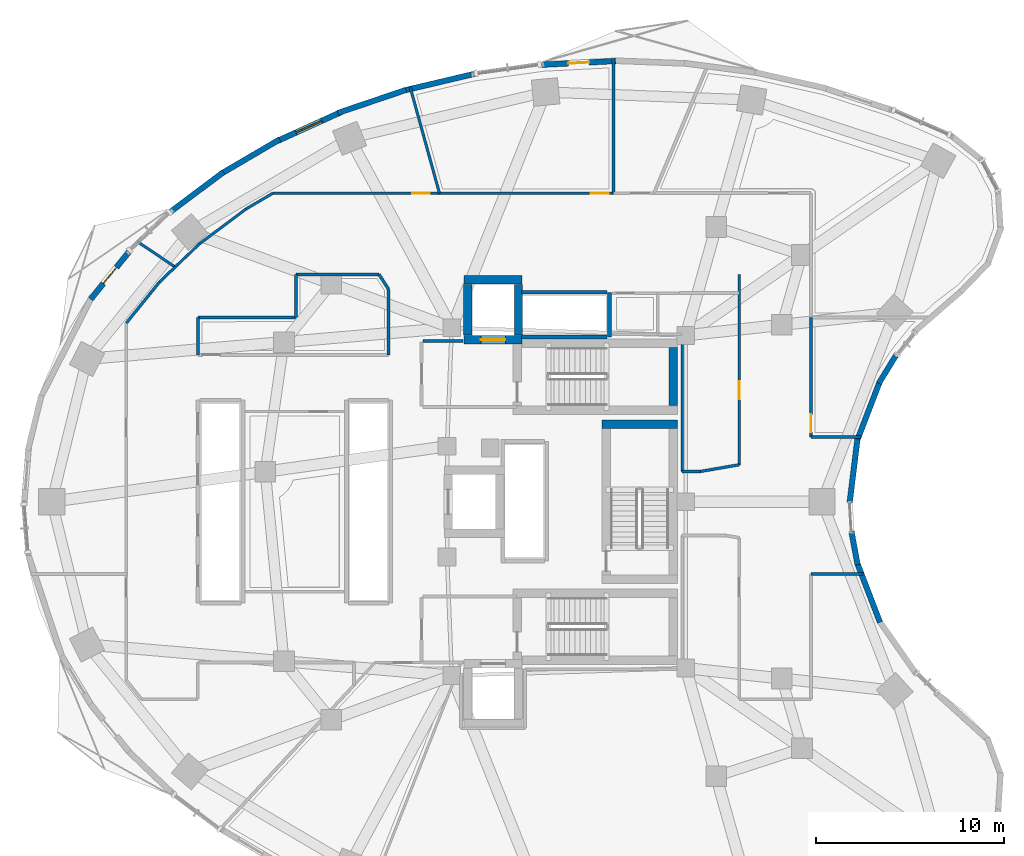
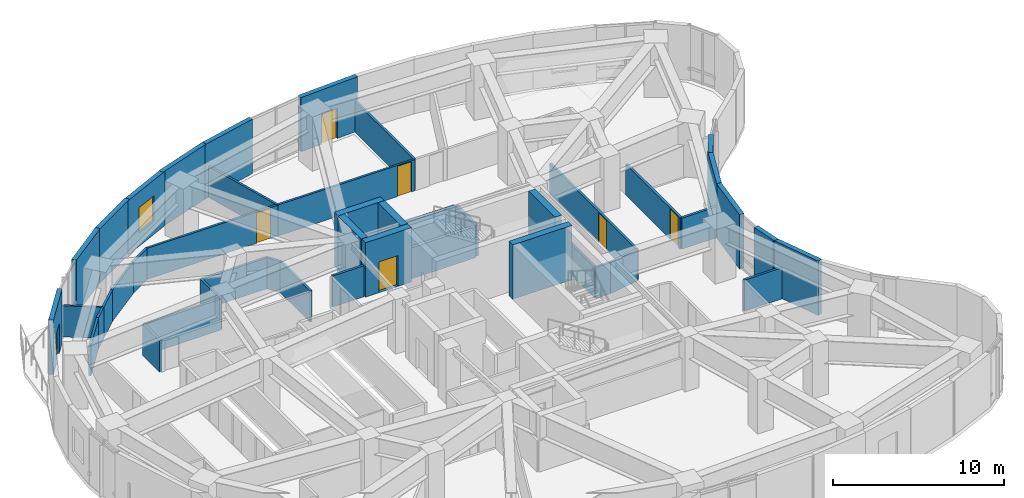
# One storey, part 9 of 13: 45 walls, 7 doors, 1 window, 8 openings.
"""IFC4 building model written with IfcOpenShell, lengths in metres."""

from ifc_helpers import new_model, si_unit, direction, frame, frame_2d, origin, place, context, subcontext, project, spatial, rectangle, extrude, material, layer, layer_set, type_object, element, fill, save


model = new_model("IFC4")

# Units and contexts
model_context = context("Model", 3, precision=1e-05, world=origin(), true_north=direction((0.0, 1.0)))
body_context = subcontext(model_context, "Body", "Model", "MODEL_VIEW")
ifc_project = project(units=[si_unit("LENGTHUNIT", "METRE"), si_unit("AREAUNIT", "SQUARE_METRE"), si_unit("VOLUMEUNIT", "CUBIC_METRE"), si_unit("PLANEANGLEUNIT", "RADIAN"), si_unit("MASSUNIT", "GRAM", prefix="KILO")], contexts=[model_context])

# Site, building, storey
site_placement = place(None, origin())
site = spatial("IfcSite", under=ifc_project, at=site_placement, CompositionType="ELEMENT")
building_placement = place(site_placement, origin())
building = spatial("IfcBuilding", under=site, at=building_placement, Name="Korentha Bioscience Tower", CompositionType="ELEMENT")
storey_placement = place(building_placement, frame((0.0, 0.0, 80.39990234375)))
storey = spatial("IfcBuildingStorey", under=building, at=storey_placement, Name="L18", CompositionType="ELEMENT", Elevation=80.39990234375)

# Wall, opening, door
ifc_material_1 = material(Name="Double-Stud Acoustic Gypsum", Category="gypsum")
ifc_layer_1 = layer(ifc_material_1, 0.14990234375, Name="Double-Stud Acoustic Gypsum")
ifc_layer_set_1 = layer_set([ifc_layer_1], Name="Double-Stud Acoustic Gypsum (IW-L150)")
wall_type_1 = type_object("IfcWallType", Name="Acoustic Laboratory Partition Wall 150", PredefinedType="PARTITIONING", material=ifc_layer_set_1)
wall_1_placement = place(storey_placement, frame((40.389892578125, 39.090087890625, 0.0), z_axis=(0.0, 0.0, 1.0), x_axis=(0.0, -1.0, 0.0)))
wall_1 = element("IfcWall", 1, at=wall_1_placement, inside=storey, type_object=wall_type_1, Name="L18 Researchers' Collaboration Pantry 05 Entrance Wall", PredefinedType="PARTITIONING", context=body_context, shape_type="SweptSolid", body=[
    extrude(rectangle(XDim=10.12548828125, YDim=0.14990234375, at=frame_2d((5.062744140625, 0.0))), origin(), (0.0, 0.0, 1.0), 2.22021484375),
])
opening_1_placement = place(wall_1_placement, frame((5.68994140625, 0.0, 0.0)))
opening_1 = element("IfcOpeningElement", 2, at=opening_1_placement, cuts=wall_1, Name="Opening ID-10R", PredefinedType="OPENING", context=body_context, shape_type="SweptSolid", body=[
    extrude(rectangle(XDim=0.949951171875, YDim=2.14990234375, at=frame_2d((0.47509765625, 1.074951171875))), frame((0.0, 0.08984375, 0.0), z_axis=(0.0, -1.0, 0.0), x_axis=(1.0, 0.0, 0.0)), (0.0, 0.0, 1.0), 0.1796875),
])
ifc_material_2 = material(Name="Phenolic Laminate Timber Core", Category="wood")
door_type_1 = type_object("IfcDoorType", Name="Laboratory Single Leaf Door 950x2150 Right", OperationType="SINGLE_SWING_RIGHT", PredefinedType="DOOR", material=ifc_material_2)
door_1_placement = place(opening_1_placement, origin())
door_1 = element("IfcDoor", 3, at=door_1_placement, inside=storey, type_object=door_type_1, Name="L18 Researchers' Collaboration Pantry 05 Door", OperationType="SINGLE_SWING_RIGHT", OverallHeight=2.14990234375, OverallWidth=0.949951171875, PredefinedType="DOOR", context=body_context, shape_type="SweptSolid", body=[
    extrude(rectangle(XDim=0.949951171875, YDim=2.14990234375, at=frame_2d((0.47509765625, 1.074951171875))), frame((0.0, 0.02490234375, 0.0), z_axis=(0.0, -1.0, 0.0), x_axis=(1.0, 0.0, 0.0)), (0.0, 0.0, 1.0), 0.050048828125),
])
fill(opening_1, door_1)

# Walls
wall_2_placement = place(storey_placement, frame((44.2099609375, 23.14794921875, 0.0), z_axis=(0.0, 0.0, 1.0), x_axis=(1.0, 0.0, 0.0)))
element("IfcWall", 4, at=wall_2_placement, inside=storey, type_object=wall_type_1, Name="L18 Interior Partition 033", PredefinedType="PARTITIONING", context=body_context, shape_type="SweptSolid", body=[
    extrude(rectangle(XDim=2.761474609375, YDim=0.14990234375, at=frame_2d((1.380859375, 0.0))), origin(), (0.0, 0.0, 1.0), 2.22021484375),
])
wall_3_placement = place(storey_placement, frame((38.32763671875, 28.610107421875, 0.0), z_axis=(0.0, 0.0, 1.0), x_axis=(-1.0, 0.0, 0.0)))
element("IfcWall", 5, at=wall_3_placement, inside=storey, type_object=wall_type_1, Name="L18 Interior Partition 037", PredefinedType="PARTITIONING", context=body_context, shape_type="SweptSolid", body=[
    extrude(rectangle(XDim=0.967529296875, YDim=0.14990234375, at=frame_2d((0.48388671875, 0.0))), origin(), (0.0, 0.0, 1.0), 2.22021484375),
])
wall_4_placement = place(storey_placement, frame((37.360107421875, 28.610107421875, 0.0), z_axis=(0.0, 0.0, 1.0), x_axis=(0.0, 1.0, 0.0)))
element("IfcWall", 6, at=wall_4_placement, inside=storey, type_object=wall_type_1, Name="L18 Interior Partition 038", PredefinedType="PARTITIONING", context=body_context, shape_type="SweptSolid", body=[
    extrude(rectangle(XDim=7.289794921875, YDim=0.14990234375, at=frame_2d((3.64501953125, 0.0))), origin(), (0.0, 0.0, 1.0), 2.22021484375),
])
wall_5_placement = place(storey_placement, frame((40.389892578125, 28.964599609375, 0.0), z_axis=(0.0, 0.0, 1.0), x_axis=(-0.985545542795, -0.169410693517, 0.0)))
element("IfcWall", 7, at=wall_5_placement, inside=storey, type_object=wall_type_1, Name="L18 Interior Partition 043", PredefinedType="PARTITIONING", context=body_context, shape_type="SweptSolid", body=[
    extrude(rectangle(XDim=2.092529296875, YDim=0.14990234375, at=frame_2d((1.04638671875, 0.0))), origin(), (0.0, 0.0, 1.0), 2.22021484375),
])
wall_6_placement = place(storey_placement, frame((33.701904296875, 43.409912109375, 0.0), z_axis=(0.0, 0.0, 1.0), x_axis=(0.0, 1.0, 0.0)))
element("IfcWall", 8, at=wall_6_placement, inside=storey, type_object=wall_type_1, Name="L18 Interior Partition 046", PredefinedType="PARTITIONING", context=body_context, shape_type="SweptSolid", body=[
    extrude(rectangle(XDim=7.16650390625, YDim=0.14990234375, at=frame_2d((3.583251953125, 0.0))), origin(), (0.0, 0.0, 1.0), 2.22021484375),
])
wall_7_placement = place(storey_placement, frame((10.3818359375, 39.476318359375, 0.0), z_axis=(0.0, 0.0, 1.0), x_axis=(-0.723689756345, -0.690125449872, 0.0)))
element("IfcWall", 9, at=wall_7_placement, inside=storey, type_object=wall_type_1, Name="L18 Interior Partition 058", PredefinedType="PARTITIONING", context=body_context, shape_type="SweptSolid", body=[
    extrude(rectangle(XDim=1.12744140625, YDim=0.14990234375, at=frame_2d((0.563720703125, 0.0))), origin(), (0.0, 0.0, 1.0), 2.22021484375),
])
wall_8_placement = place(storey_placement, frame((9.565185546875, 38.697265625, 0.0), z_axis=(0.0, 0.0, 1.0), x_axis=(-0.629270515505, -0.777186347227, 0.0)))
element("IfcWall", 10, at=wall_8_placement, inside=storey, type_object=wall_type_1, Name="L18 Interior Partition 059", PredefinedType="PARTITIONING", context=body_context, shape_type="SweptSolid", body=[
    extrude(rectangle(XDim=2.8173828125, YDim=0.14990234375, at=frame_2d((1.40869140625, 0.0))), origin(), (0.0, 0.0, 1.0), 2.22021484375),
])

# Wall, opening, door
ifc_material_3 = material(Name="Insulated Aluminium Honeycomb Panel", Category="aluminium")
ifc_layer_2 = layer(ifc_material_3, 0.139892578125, Name="Insulated Aluminium Honeycomb Panel")
ifc_layer_set_2 = layer_set([ifc_layer_2], Name="Insulated Aluminium Honeycomb Panel (IW-F60)")
wall_type_2 = type_object("IfcWallType", Name="Cleanroom Flush Metal Panel Partition 140", PredefinedType="PARTITIONING", material=ifc_layer_set_2)
wall_9_placement = place(storey_placement, frame((33.69189453125, 43.409912109375, 0.0), z_axis=(0.0, 0.0, 1.0), x_axis=(-1.0, 0.0, 0.0)))
wall_9 = element("IfcWall", 11, at=wall_9_placement, inside=storey, type_object=wall_type_2, Name="L18 PCR Amplification Cleanroom 08 Entrance Wall", PredefinedType="PARTITIONING", context=body_context, shape_type="SweptSolid", body=[
    extrude(rectangle(XDim=9.245849609375, YDim=0.139892578125, at=frame_2d((4.623046875, 0.0))), origin(), (0.0, 0.0, 1.0), 2.22021484375),
])
opening_2_placement = place(wall_9_placement, frame((0.239990234375, 0.0, 0.0)))
opening_2 = element("IfcOpeningElement", 12, at=opening_2_placement, cuts=wall_9, Name="Opening ID-10L", PredefinedType="OPENING", context=body_context, shape_type="SweptSolid", body=[
    extrude(rectangle(XDim=0.949951171875, YDim=2.14990234375, at=frame_2d((0.47509765625, 1.074951171875))), frame((0.0, 0.0849609375, 0.0), z_axis=(0.0, -1.0, 0.0), x_axis=(1.0, 0.0, 0.0)), (0.0, 0.0, 1.0), 0.169677734375),
])
door_type_2 = type_object("IfcDoorType", Name="Laboratory Single Leaf Door 950x2150 Left", OperationType="SINGLE_SWING_LEFT", PredefinedType="DOOR", material=ifc_material_2)
door_2_placement = place(opening_2_placement, origin())
door_2 = element("IfcDoor", 13, at=door_2_placement, inside=storey, type_object=door_type_2, Name="L18 PCR Amplification Cleanroom 08 Door", OperationType="SINGLE_SWING_LEFT", OverallHeight=2.14990234375, OverallWidth=0.949951171875, PredefinedType="DOOR", context=body_context, shape_type="SweptSolid", body=[
    extrude(rectangle(XDim=0.949951171875, YDim=2.14990234375, at=frame_2d((0.47509765625, 1.074951171875))), frame((0.0, 0.02490234375, 0.0), z_axis=(0.0, -1.0, 0.0), x_axis=(1.0, 0.0, 0.0)), (0.0, 0.0, 1.0), 0.050048828125),
])
fill(opening_2, door_2)

wall_10_placement = place(storey_placement, frame((24.435791015625, 43.409912109375, 0.0), z_axis=(0.0, 0.0, 1.0), x_axis=(-1.0, 0.0, 0.0)))
wall_10 = element("IfcWall", 14, at=wall_10_placement, inside=storey, type_object=wall_type_2, Name="L18 Cryo-Specimen Cold Room 09 Entrance Wall", PredefinedType="PARTITIONING", context=body_context, shape_type="SweptSolid", body=[
    extrude(rectangle(XDim=8.844970703125, YDim=0.139892578125, at=frame_2d((4.42236328125, 0.0))), origin(), (0.0, 0.0, 1.0), 2.22021484375),
])
opening_3_placement = place(wall_10_placement, frame((0.497802734375, 0.0, 0.0)))
opening_3 = element("IfcOpeningElement", 15, at=opening_3_placement, cuts=wall_10, Name="Opening ID-10R", PredefinedType="OPENING", context=body_context, shape_type="SweptSolid", body=[
    extrude(rectangle(XDim=0.949951171875, YDim=2.14990234375, at=frame_2d((0.47509765625, 1.074951171875))), frame((0.0, 0.0849609375, 0.0), z_axis=(0.0, -1.0, 0.0), x_axis=(1.0, 0.0, 0.0)), (0.0, 0.0, 1.0), 0.169677734375),
])
door_3_placement = place(opening_3_placement, origin())
door_3 = element("IfcDoor", 16, at=door_3_placement, inside=storey, type_object=door_type_1, Name="L18 Cryo-Specimen Cold Room 09 Door", OperationType="SINGLE_SWING_RIGHT", OverallHeight=2.14990234375, OverallWidth=0.949951171875, PredefinedType="DOOR", context=body_context, shape_type="SweptSolid", body=[
    extrude(rectangle(XDim=0.949951171875, YDim=2.14990234375, at=frame_2d((0.47509765625, 1.074951171875))), frame((0.0, 0.02490234375, 0.0), z_axis=(0.0, -1.0, 0.0), x_axis=(1.0, 0.0, 0.0)), (0.0, 0.0, 1.0), 0.050048828125),
])
fill(opening_3, door_3)

# Walls
wall_11_placement = place(storey_placement, frame((24.446044921875, 43.409912109375, 0.0), z_axis=(0.0, 0.0, 1.0), x_axis=(-0.266051472147, 0.963958823897, 0.0)))
element("IfcWall", 17, at=wall_11_placement, inside=storey, type_object=wall_type_2, Name="L18 Interior Partition 047", PredefinedType="PARTITIONING", context=body_context, shape_type="SweptSolid", body=[
    extrude(rectangle(XDim=5.876708984375, YDim=0.139892578125, at=frame_2d((2.9384765625, 0.0))), origin(), (0.0, 0.0, 1.0), 2.22021484375),
])
wall_12_placement = place(storey_placement, frame((15.585693359375, 43.40869140625, 0.0), z_axis=(0.0, 0.0, 1.0), x_axis=(-0.862446636904, -0.506148000582, 0.0)))
element("IfcWall", 18, at=wall_12_placement, inside=storey, type_object=wall_type_2, Name="L18 Interior Partition 048", PredefinedType="PARTITIONING", context=body_context, shape_type="SweptSolid", body=[
    extrude(rectangle(XDim=1.652099609375, YDim=0.139892578125, at=frame_2d((0.826171875, 0.0))), origin(), (0.0, 0.0, 1.0), 2.22021484375),
])
wall_13_placement = place(storey_placement, frame((14.159912109375, 42.57177734375, 0.0), z_axis=(0.0, 0.0, 1.0), x_axis=(-0.800808090092, -0.598921032227, 0.0)))
element("IfcWall", 19, at=wall_13_placement, inside=storey, type_object=wall_type_2, Name="L18 Interior Partition 049", PredefinedType="PARTITIONING", context=body_context, shape_type="SweptSolid", body=[
    extrude(rectangle(XDim=3.078857421875, YDim=0.139892578125, at=frame_2d((1.53955078125, 0.0))), origin(), (0.0, 0.0, 1.0), 2.22021484375),
])
wall_14_placement = place(storey_placement, frame((11.693359375, 40.72705078125, 0.0), z_axis=(0.0, 0.0, 1.0), x_axis=(-0.72364154489, -0.69017600256, 0.0)))
element("IfcWall", 20, at=wall_14_placement, inside=storey, type_object=wall_type_2, Name="L18 Interior Partition 050", PredefinedType="PARTITIONING", context=body_context, shape_type="SweptSolid", body=[
    extrude(rectangle(XDim=1.802001953125, YDim=0.139892578125, at=frame_2d((0.90087890625, 0.0))), origin(), (0.0, 0.0, 1.0), 2.22021484375),
])
wall_15_placement = place(storey_placement, frame((10.389404296875, 39.4833984375, 0.0), z_axis=(0.0, 0.0, 1.0), x_axis=(-0.8301994927, 0.557466413626, 0.0)))
element("IfcWall", 21, at=wall_15_placement, inside=storey, type_object=wall_type_2, Name="L18 Interior Partition 051", PredefinedType="PARTITIONING", context=body_context, shape_type="SweptSolid", body=[
    extrude(rectangle(XDim=2.461669921875, YDim=0.139892578125, at=frame_2d((1.23095703125, 0.0))), origin(), (0.0, 0.0, 1.0), 2.22021484375),
])
ifc_material_4 = material(Name="Gypsum-Clad Steel Stud", Category="steel")
ifc_layer_3 = layer(ifc_material_4, 0.159912109375, Name="Gypsum-Clad Steel Stud")
ifc_layer_set_3 = layer_set([ifc_layer_3], Name="Gypsum-Clad Steel Stud (IW-C160)")
wall_type_3 = type_object("IfcWallType", Name="Fire-Rated Corridor Partition Wall 160", PredefinedType="PARTITIONING", material=ifc_layer_set_3)
wall_16_placement = place(storey_placement, frame((23.580078125, 35.550048828125, 0.0), z_axis=(0.0, 0.0, 1.0), x_axis=(1.0, 0.0, 0.0)))
element("IfcWall", 22, at=wall_16_placement, inside=storey, type_object=wall_type_3, Name="L18 Firefighting Lobby Return Wall FFLN-N", PredefinedType="PARTITIONING", context=body_context, shape_type="SweptSolid", body=[
    extrude(rectangle(XDim=2.119873046875, YDim=0.159912109375, at=frame_2d((1.06005859375, 0.0))), origin(), (0.0, 0.0, 1.0), 2.22021484375),
])

# Wall, opening, door
wall_17_placement = place(storey_placement, frame((44.2099609375, 30.451904296875, 0.0), z_axis=(0.0, 0.0, 1.0), x_axis=(0.0, 1.0, 0.0)))
wall_17 = element("IfcWall", 23, at=wall_17_placement, inside=storey, type_object=wall_type_3, Name="L18 Biospecimen Archive Store 04 Entrance Wall", PredefinedType="PARTITIONING", context=body_context, shape_type="SweptSolid", body=[
    extrude(rectangle(XDim=6.34619140625, YDim=0.159912109375, at=frame_2d((3.173095703125, 0.0))), origin(), (0.0, 0.0, 1.0), 2.22021484375),
])
opening_4_placement = place(wall_17_placement, frame((0.239990234375, 0.0, 0.0)))
opening_4 = element("IfcOpeningElement", 24, at=opening_4_placement, cuts=wall_17, Name="Opening ID-10L", PredefinedType="OPENING", context=body_context, shape_type="SweptSolid", body=[
    extrude(rectangle(XDim=0.949951171875, YDim=2.14990234375, at=frame_2d((0.47509765625, 1.074951171875))), frame((0.0, 0.0947265625, 0.0), z_axis=(0.0, -1.0, 0.0), x_axis=(1.0, 0.0, 0.0)), (0.0, 0.0, 1.0), 0.189697265625),
])
door_4_placement = place(opening_4_placement, origin())
door_4 = element("IfcDoor", 25, at=door_4_placement, inside=storey, type_object=door_type_2, Name="L18 Biospecimen Archive Store 04 Door", OperationType="SINGLE_SWING_LEFT", OverallHeight=2.14990234375, OverallWidth=0.949951171875, PredefinedType="DOOR", context=body_context, shape_type="SweptSolid", body=[
    extrude(rectangle(XDim=0.949951171875, YDim=2.14990234375, at=frame_2d((0.47509765625, 1.074951171875))), frame((0.0, 0.02490234375, 0.0), z_axis=(0.0, -1.0, 0.0), x_axis=(1.0, 0.0, 0.0)), (0.0, 0.0, 1.0), 0.050048828125),
])
fill(opening_4, door_4)

# Walls
wall_18_placement = place(storey_placement, frame((46.84521484375, 30.451904296875, 0.0), z_axis=(0.0, 0.0, 1.0), x_axis=(-1.0, 0.0, 0.0)))
element("IfcWall", 26, at=wall_18_placement, inside=storey, type_object=wall_type_3, Name="L18 Interior Partition 035", PredefinedType="PARTITIONING", context=body_context, shape_type="SweptSolid", body=[
    extrude(rectangle(XDim=2.63525390625, YDim=0.159912109375, at=frame_2d((1.317626953125, 0.0))), origin(), (0.0, 0.0, 1.0), 2.22021484375),
])
wall_19_placement = place(storey_placement, frame((21.739990234375, 38.297119140625, 0.0), z_axis=(0.0, 0.0, 1.0), x_axis=(0.0, -1.0, 0.0)))
element("IfcWall", 27, at=wall_19_placement, inside=storey, type_object=wall_type_3, Name="L18 Interior Partition 052", PredefinedType="PARTITIONING", context=body_context, shape_type="SweptSolid", body=[
    extrude(rectangle(XDim=3.487060546875, YDim=0.159912109375, at=frame_2d((1.74365234375, 0.0))), origin(), (0.0, 0.0, 1.0), 2.22021484375),
])
wall_20_placement = place(storey_placement, frame((11.590087890625, 34.81005859375, 0.0), z_axis=(0.0, 0.0, 1.0), x_axis=(0.0, 1.0, 0.0)))
element("IfcWall", 28, at=wall_20_placement, inside=storey, type_object=wall_type_3, Name="L18 Interior Partition 053", PredefinedType="PARTITIONING", context=body_context, shape_type="SweptSolid", body=[
    extrude(rectangle(XDim=1.97998046875, YDim=0.159912109375, at=frame_2d((0.989990234375, 0.0))), origin(), (0.0, 0.0, 1.0), 2.22021484375),
])
wall_21_placement = place(storey_placement, frame((11.590087890625, 36.7900390625, 0.0), z_axis=(0.0, 0.0, 1.0), x_axis=(1.0, 0.0, 0.0)))
element("IfcWall", 29, at=wall_21_placement, inside=storey, type_object=wall_type_3, Name="L18 Interior Partition 054", PredefinedType="PARTITIONING", context=body_context, shape_type="SweptSolid", body=[
    extrude(rectangle(XDim=5.2099609375, YDim=0.159912109375, at=frame_2d((2.60498046875, 0.0))), origin(), (0.0, 0.0, 1.0), 2.22021484375),
])
wall_22_placement = place(storey_placement, frame((16.81005859375, 36.800048828125, 0.0), z_axis=(0.0, 0.0, 1.0), x_axis=(0.0, 1.0, 0.0)))
element("IfcWall", 30, at=wall_22_placement, inside=storey, type_object=wall_type_3, Name="L18 Interior Partition 055", PredefinedType="PARTITIONING", context=body_context, shape_type="SweptSolid", body=[
    extrude(rectangle(XDim=2.2900390625, YDim=0.159912109375, at=frame_2d((1.14501953125, 0.0))), origin(), (0.0, 0.0, 1.0), 2.22021484375),
])
wall_23_placement = place(storey_placement, frame((16.81005859375, 39.090087890625, 0.0), z_axis=(0.0, 0.0, 1.0), x_axis=(1.0, 0.0, 0.0)))
element("IfcWall", 31, at=wall_23_placement, inside=storey, type_object=wall_type_3, Name="L18 Interior Partition 056", PredefinedType="PARTITIONING", context=body_context, shape_type="SweptSolid", body=[
    extrude(rectangle(XDim=4.42236328125, YDim=0.159912109375, at=frame_2d((2.211181640625, 0.0))), origin(), (0.0, 0.0, 1.0), 2.22021484375),
])
wall_24_placement = place(storey_placement, frame((21.232421875, 39.090087890625, 0.0), z_axis=(0.0, 0.0, 1.0), x_axis=(0.539105204185, -0.842238433474, 0.0)))
element("IfcWall", 32, at=wall_24_placement, inside=storey, type_object=wall_type_3, Name="L18 Interior Partition 057", PredefinedType="PARTITIONING", context=body_context, shape_type="SweptSolid", body=[
    extrude(rectangle(XDim=0.94140625, YDim=0.159912109375, at=frame_2d((0.470703125, 0.0))), origin(), (0.0, 0.0, 1.0), 2.22021484375),
])

# Wall, opening, door
ifc_material_5 = material(Name="Honed Limestone Precast Concrete C40", Category="masonry")
ifc_layer_4 = layer(ifc_material_5, 0.300048828125, Name="Honed Limestone Precast Concrete C40")
ifc_layer_set_4 = layer_set([ifc_layer_4], Name="Honed Limestone Precast Concrete C40 (EW-ST300)")
wall_type_4 = type_object("IfcWallType", Name="Honed Limestone Cavity Spandrel Wall 300", PredefinedType="STANDARD", material=ifc_layer_set_4)
wall_25_placement = place(storey_placement, frame((33.8212890625, 50.4423828125, 0.0), z_axis=(0.0, 0.0, 1.0), x_axis=(-0.99873153138, -0.050352042933, 0.0)))
wall_25 = element("IfcWall", 33, at=wall_25_placement, inside=storey, type_object=wall_type_4, Name="L18 Balcony Threshold Wall 01", PredefinedType="STANDARD", context=body_context, shape_type="SweptSolid", body=[
    extrude(rectangle(XDim=3.93701171875, YDim=0.300048828125, at=frame_2d((1.968505859375, 0.0))), origin(), (0.0, 0.0, 1.0), 3.880126953125),
])
opening_5_placement = place(wall_25_placement, frame((1.418701171875, 0.0, 0.0)))
opening_5 = element("IfcOpeningElement", 34, at=opening_5_placement, cuts=wall_25, Name="Opening BD-11L", PredefinedType="OPENING", context=body_context, shape_type="SweptSolid", body=[
    extrude(rectangle(XDim=1.10009765625, YDim=2.14990234375, at=frame_2d((0.550048828125, 1.074951171875))), frame((0.0, 0.1650390625, 0.0), z_axis=(0.0, -1.0, 0.0), x_axis=(1.0, 0.0, 0.0)), (0.0, 0.0, 1.0), 0.329833984375),
])
ifc_material_6 = material(Name="Thermally Broken Glazed Aluminium", Category="aluminium")
door_type_3 = type_object("IfcDoorType", Name="Balcony Terrace Glazed Door 1100x2150 Left", OperationType="SINGLE_SWING_LEFT", PredefinedType="DOOR", material=ifc_material_6)
door_5_placement = place(opening_5_placement, origin())
door_5 = element("IfcDoor", 35, at=door_5_placement, inside=storey, type_object=door_type_3, Name="L18 Balcony Access Door 01", OperationType="SINGLE_SWING_LEFT", OverallHeight=2.14990234375, OverallWidth=1.10009765625, PredefinedType="DOOR", context=body_context, shape_type="SweptSolid", body=[
    extrude(rectangle(XDim=1.10009765625, YDim=2.14990234375, at=frame_2d((0.550048828125, 1.074951171875))), frame((0.0, 0.02490234375, 0.0), z_axis=(0.0, -1.0, 0.0), x_axis=(1.0, 0.0, 0.0)), (0.0, 0.0, 1.0), 0.050048828125),
])
fill(opening_5, door_5)

# Wall, opening, window
wall_26_placement = place(storey_placement, frame((19.19140625, 47.716796875, 0.0), z_axis=(0.0, 0.0, 1.0), x_axis=(-0.910608120407, -0.413270917254, 0.0)))
wall_26 = element("IfcWall", 36, at=wall_26_placement, inside=storey, type_object=wall_type_4, Name="L18 Honed Limestone Spandrel Wall 10", PredefinedType="STANDARD", context=body_context, shape_type="SweptSolid", body=[
    extrude(rectangle(XDim=3.699951171875, YDim=0.300048828125, at=frame_2d((1.85009765625, 0.0))), origin(), (0.0, 0.0, 1.0), 3.880126953125),
])
opening_6_placement = place(wall_26_placement, frame((1.10009765625, 0.0, 0.949951171875)))
opening_6 = element("IfcOpeningElement", 37, at=opening_6_placement, cuts=wall_26, Name="Opening WN-02", PredefinedType="OPENING", context=body_context, shape_type="SweptSolid", body=[
    extrude(rectangle(XDim=1.5, YDim=1.800048828125, at=frame_2d((0.75, 0.89990234375))), frame((0.0, 0.1650390625, 0.0), z_axis=(0.0, -1.0, 0.0), x_axis=(1.0, 0.0, 0.0)), (0.0, 0.0, 1.0), 0.329833984375),
])
ifc_material_7 = material(Name="Thermally Broken Aluminium Triple Glazing", Category="aluminium")
window_type = type_object("IfcWindowType", Name="Acoustic Operable Office Window 1500x1800", PartitioningType="DOUBLE_PANEL_VERTICAL", PredefinedType="WINDOW", material=ifc_material_7)
window_placement = place(opening_6_placement, origin())
window = element("IfcWindow", 38, at=window_placement, inside=storey, type_object=window_type, Name="L18 Facade Window 10", OverallHeight=1.800048828125, OverallWidth=1.5, PartitioningType="DOUBLE_PANEL_VERTICAL", PredefinedType="WINDOW", context=body_context, shape_type="SweptSolid", body=[
    extrude(rectangle(XDim=1.5, YDim=1.800048828125, at=frame_2d((0.75, 0.89990234375))), frame((0.0, 0.030029296875, 0.0), z_axis=(0.0, -1.0, 0.0), x_axis=(1.0, 0.0, 0.0)), (0.0, 0.0, 1.0), 0.06005859375),
])
fill(opening_6, window)

# Wall, opening, door
wall_27_placement = place(storey_placement, frame((7.9375, 40.294189453125, 0.0), z_axis=(0.0, 0.0, 1.0), x_axis=(-0.629295540187, -0.777166084631, 0.0)))
wall_27 = element("IfcWall", 39, at=wall_27_placement, inside=storey, type_object=wall_type_4, Name="L18 Balcony Threshold Wall 02", PredefinedType="STANDARD", context=body_context, shape_type="SweptSolid", body=[
    extrude(rectangle(XDim=3.24755859375, YDim=0.300048828125, at=frame_2d((1.623779296875, 0.0))), origin(), (0.0, 0.0, 1.0), 3.880126953125),
])
opening_7_placement = place(wall_27_placement, frame((1.07373046875, 0.0, 0.0)))
opening_7 = element("IfcOpeningElement", 40, at=opening_7_placement, cuts=wall_27, Name="Opening BD-11R", PredefinedType="OPENING", context=body_context, shape_type="SweptSolid", body=[
    extrude(rectangle(XDim=1.10009765625, YDim=2.14990234375, at=frame_2d((0.550048828125, 1.074951171875))), frame((0.0, 0.1650390625, 0.0), z_axis=(0.0, -1.0, 0.0), x_axis=(1.0, 0.0, 0.0)), (0.0, 0.0, 1.0), 0.329833984375),
])
door_type_4 = type_object("IfcDoorType", Name="Balcony Terrace Glazed Door 1100x2150 Right", OperationType="SINGLE_SWING_RIGHT", PredefinedType="DOOR", material=ifc_material_6)
door_6_placement = place(opening_7_placement, origin())
door_6 = element("IfcDoor", 41, at=door_6_placement, inside=storey, type_object=door_type_4, Name="L18 Balcony Access Door 02", OperationType="SINGLE_SWING_RIGHT", OverallHeight=2.14990234375, OverallWidth=1.10009765625, PredefinedType="DOOR", context=body_context, shape_type="SweptSolid", body=[
    extrude(rectangle(XDim=1.10009765625, YDim=2.14990234375, at=frame_2d((0.550048828125, 1.074951171875))), frame((0.0, 0.02490234375, 0.0), z_axis=(0.0, -1.0, 0.0), x_axis=(1.0, 0.0, 0.0)), (0.0, 0.0, 1.0), 0.050048828125),
])
fill(opening_7, door_6)

# Walls
wall_28_placement = place(storey_placement, frame((26.29736328125, 49.7587890625, 0.0), z_axis=(0.0, 0.0, 1.0), x_axis=(-0.973197600754, -0.229970497863, 0.0)))
element("IfcWall", 42, at=wall_28_placement, inside=storey, type_object=wall_type_4, Name="L18 Limestone Perimeter Closure Wall 08", PredefinedType="STANDARD", context=body_context, shape_type="SweptSolid", body=[
    extrude(rectangle(XDim=3.9013671875, YDim=0.300048828125, at=frame_2d((1.95068359375, 0.0))), origin(), (0.0, 0.0, 1.0), 3.880126953125),
])
wall_29_placement = place(storey_placement, frame((22.6669921875, 48.9091796875, 0.0), z_axis=(0.0, 0.0, 1.0), x_axis=(-0.94702579403, -0.321157508773, 0.0)))
element("IfcWall", 43, at=wall_29_placement, inside=storey, type_object=wall_type_4, Name="L18 Limestone Perimeter Closure Wall 09", PredefinedType="STANDARD", context=body_context, shape_type="SweptSolid", body=[
    extrude(rectangle(XDim=3.829833984375, YDim=0.300048828125, at=frame_2d((1.9150390625, 0.0))), origin(), (0.0, 0.0, 1.0), 3.880126953125),
])
wall_30_placement = place(storey_placement, frame((15.95068359375, 46.27783203125, 0.0), z_axis=(0.0, 0.0, 1.0), x_axis=(-0.8624654944, -0.506115867139, 0.0)))
element("IfcWall", 44, at=wall_30_placement, inside=storey, type_object=wall_type_4, Name="L18 Limestone Perimeter Closure Wall 11", PredefinedType="STANDARD", context=body_context, shape_type="SweptSolid", body=[
    extrude(rectangle(XDim=3.63525390625, YDim=0.300048828125, at=frame_2d((1.817626953125, 0.0))), origin(), (0.0, 0.0, 1.0), 3.880126953125),
])
wall_31_placement = place(storey_placement, frame((12.96142578125, 44.53515625, 0.0), z_axis=(0.0, 0.0, 1.0), x_axis=(-0.800823020995, -0.598901067827, 0.0)))
element("IfcWall", 45, at=wall_31_placement, inside=storey, type_object=wall_type_4, Name="L18 Limestone Perimeter Closure Wall 12", PredefinedType="STANDARD", context=body_context, shape_type="SweptSolid", body=[
    extrude(rectangle(XDim=3.520751953125, YDim=0.300048828125, at=frame_2d((1.76025390625, 0.0))), origin(), (0.0, 0.0, 1.0), 3.880126953125),
])
wall_32_placement = place(storey_placement, frame((47.8837890625, 20.577392578125, 0.0), z_axis=(0.0, 0.0, 1.0), x_axis=(-0.358344570513, 0.933589400531, 0.0)))
element("IfcWall", 46, at=wall_32_placement, inside=storey, type_object=wall_type_4, Name="L18 Limestone Perimeter Closure Wall 46", PredefinedType="STANDARD", context=body_context, shape_type="SweptSolid", body=[
    extrude(rectangle(XDim=3.4296875, YDim=0.300048828125, at=frame_2d((1.71484375, 0.0))), origin(), (0.0, 0.0, 1.0), 3.880126953125),
])
wall_33_placement = place(storey_placement, frame((46.691162109375, 23.650390625, 0.0), z_axis=(0.0, 0.0, 1.0), x_axis=(-0.182230271073, 0.983255881399, 0.0)))
element("IfcWall", 47, at=wall_33_placement, inside=storey, type_object=wall_type_4, Name="L18 Limestone Perimeter Closure Wall 48", PredefinedType="STANDARD", context=body_context, shape_type="SweptSolid", body=[
    extrude(rectangle(XDim=1.7978515625, YDim=0.300048828125, at=frame_2d((0.89892578125, 0.0))), origin(), (0.0, 0.0, 1.0), 3.880126953125),
])
for number, where, z_axis, x_axis, name in (
    (48, (46.26708984375, 26.937744140625, 0.0), (0.0, 0.0, 1.0), (0.121870386032, 0.992546023622, 0.0), "L18 Limestone Perimeter Closure Wall 50"),
    (49, (46.65478515625, 30.220703125, 0.0), (0.0, 0.0, 1.0), (0.358344570513, 0.933589400531, 0.0), "L18 Limestone Perimeter Closure Wall 52"),
):
    element("IfcWall", number, at=place(storey_placement, frame(where, z_axis=z_axis, x_axis=x_axis)), inside=storey, type_object=wall_type_4, Name=name, PredefinedType="STANDARD", context=body_context, shape_type="SweptSolid", body=[
        extrude(rectangle(XDim=3.4296875, YDim=0.300048828125, at=frame_2d((1.71484375, 0.0))), origin(), (0.0, 0.0, 1.0), 3.880126953125),
    ])
wall_34_placement = place(storey_placement, frame((47.82470703125, 33.302734375, 0.0), z_axis=(0.0, 0.0, 1.0), x_axis=(0.522520662875, 0.852626622191, 0.0)))
element("IfcWall", 50, at=wall_34_placement, inside=storey, type_object=wall_type_4, Name="L18 Limestone Perimeter Closure Wall 54", PredefinedType="STANDARD", context=body_context, shape_type="SweptSolid", body=[
    extrude(rectangle(XDim=1.7978515625, YDim=0.300048828125, at=frame_2d((0.89892578125, 0.0))), origin(), (0.0, 0.0, 1.0), 3.880126953125),
])
ifc_material_8 = material(Name="Autoclaved Aerated Concrete Block C25", Category="concrete")
ifc_layer_5 = layer(ifc_material_8, 0.199951171875, Name="Autoclaved Aerated Concrete Block C25")
ifc_layer_set_5 = layer_set([ifc_layer_5], Name="Autoclaved Aerated Concrete Block C25 (IW-S200)")
wall_type_5 = type_object("IfcWallType", Name="Lift and Riser Shaft Enclosure Wall 200", PredefinedType="PARTITIONING", material=ifc_layer_set_5)
wall_35_placement = place(storey_placement, frame((33.489990234375, 35.760009765625, 0.0), z_axis=(0.0, 0.0, 1.0), x_axis=(0.0, 1.0, 0.0)))
element("IfcWall", 51, at=wall_35_placement, inside=storey, type_object=wall_type_5, Name="L18 Lift Bank OBS Shaft Wall +X", PredefinedType="PARTITIONING", context=body_context, shape_type="SweptSolid", body=[
    extrude(rectangle(XDim=2.3798828125, YDim=0.199951171875, at=frame_2d((1.18994140625, 0.0))), origin(), (0.0, 0.0, 1.0), 2.22021484375),
])
for number, where, z_axis, x_axis, name in (
    (52, (28.800048828125, 35.760009765625, 0.0), (0.0, 0.0, 1.0), (1.0, 0.0, 0.0), "L18 Lift Bank OBS Shaft Wall -Y"),
    (53, (28.800048828125, 38.139892578125, 0.0), (0.0, 0.0, 1.0), (1.0, 0.0, 0.0), "L18 Lift Bank OBS Shaft Wall +Y"),
):
    element("IfcWall", number, at=place(storey_placement, frame(where, z_axis=z_axis, x_axis=x_axis)), inside=storey, type_object=wall_type_5, Name=name, PredefinedType="PARTITIONING", context=body_context, shape_type="SweptSolid", body=[
        extrude(rectangle(XDim=4.570068359375, YDim=0.199951171875, at=frame_2d((2.28515625, 0.0))), origin(), (0.0, 0.0, 1.0), 2.22021484375),
    ])
ifc_material_9 = material(Name="Concrete C80", Category="concrete")
ifc_layer_6 = layer(ifc_material_9, 0.449951171875, Name="Concrete C80")
ifc_layer_set_6 = layer_set([ifc_layer_6], Name="Concrete C80 (CW-C80)")
wall_type_6 = type_object("IfcWallType", Name="Lower Core Shear Wall 450", PredefinedType="SHEAR", material=ifc_layer_set_6)
wall_36_placement = place(storey_placement, frame((36.875, 32.110107421875, 0.0), z_axis=(0.0, 0.0, 1.0), x_axis=(0.0, 1.0, 0.0)))
element("IfcWall", 54, at=wall_36_placement, inside=storey, type_object=wall_type_6, Name="L18 Core Shear Wall ST1-E", PredefinedType="SHEAR", context=body_context, shape_type="SweptSolid", body=[
    extrude(rectangle(XDim=3.079833984375, YDim=0.449951171875, at=frame_2d((1.5400390625, 0.0))), origin(), (0.0, 0.0, 1.0), 3.880126953125),
])
wall_37_placement = place(storey_placement, frame((33.10009765625, 31.125, 0.0), z_axis=(0.0, 0.0, 1.0), x_axis=(1.0, 0.0, 0.0)))
element("IfcWall", 55, at=wall_37_placement, inside=storey, type_object=wall_type_6, Name="L18 Core Shear Wall ST3-N", PredefinedType="SHEAR", context=body_context, shape_type="SweptSolid", body=[
    extrude(rectangle(XDim=4.0, YDim=0.449951171875, at=frame_2d((2.0, 0.0))), origin(), (0.0, 0.0, 1.0), 3.880126953125),
])
wall_38_placement = place(storey_placement, frame((25.75, 38.800048828125, 0.0), z_axis=(0.0, 0.0, 1.0), x_axis=(1.0, 0.0, 0.0)))
element("IfcWall", 56, at=wall_38_placement, inside=storey, type_object=wall_type_6, Name="L18 Core Shear Wall FFL2-N", PredefinedType="SHEAR", context=body_context, shape_type="SweptSolid", body=[
    extrude(rectangle(XDim=3.10009765625, YDim=0.449951171875, at=frame_2d((1.550048828125, 0.0))), origin(), (0.0, 0.0, 1.0), 3.880126953125),
])

# Wall, opening, door
wall_39_placement = place(storey_placement, frame((25.75, 35.6201171875, 0.0), z_axis=(0.0, 0.0, 1.0), x_axis=(1.0, 0.0, 0.0)))
wall_39 = element("IfcWall", 57, at=wall_39_placement, inside=storey, type_object=wall_type_6, Name="L18 Core Shear Wall FFL2-S", PredefinedType="SHEAR", context=body_context, shape_type="SweptSolid", body=[
    extrude(rectangle(XDim=3.10009765625, YDim=0.449951171875, at=frame_2d((1.550048828125, 0.0))), origin(), (0.0, 0.0, 1.0), 3.880126953125),
])
opening_8_placement = place(wall_39_placement, frame((0.89990234375, 0.0, 0.0)))
opening_8 = element("IfcOpeningElement", 58, at=opening_8_placement, cuts=wall_39, Name="Opening LD-13", PredefinedType="OPENING", context=body_context, shape_type="SweptSolid", body=[
    extrude(rectangle(XDim=1.300048828125, YDim=2.199951171875, at=frame_2d((0.64990234375, 1.10009765625))), frame((0.0, 0.23974609375, 0.0), z_axis=(0.0, -1.0, 0.0), x_axis=(1.0, 0.0, 0.0)), (0.0, 0.0, 1.0), 0.479736328125),
])
ifc_material_10 = material(Name="Brushed Stainless Steel 316", Category="steel")
door_type_5 = type_object("IfcDoorType", Name="Service & Firefighting Lift Landing Door 1300x2300", OperationType="DOUBLE_DOOR_SLIDING", PredefinedType="DOOR", material=ifc_material_10)
door_7_placement = place(opening_8_placement, origin())
door_7 = element("IfcDoor", 59, at=door_7_placement, inside=storey, type_object=door_type_5, Name="L18 FFL-2 Sliding Lift Landing Door", OperationType="DOUBLE_DOOR_SLIDING", OverallHeight=2.199951171875, OverallWidth=1.300048828125, PredefinedType="DOOR", context=body_context, shape_type="SweptSolid", body=[
    extrude(rectangle(XDim=1.300048828125, YDim=2.199951171875, at=frame_2d((0.64990234375, 1.10009765625))), frame((0.0, 0.02490234375, 0.0), z_axis=(0.0, -1.0, 0.0), x_axis=(1.0, 0.0, 0.0)), (0.0, 0.0, 1.0), 0.050048828125),
])
fill(opening_8, door_7)

# Walls
for number, where, z_axis, x_axis, name in (
    (60, (25.949951171875, 35.860107421875, 0.0), (0.0, 0.0, 1.0), (0.0, 1.0, 0.0), "L18 Core Shear Wall FFL2-W"),
    (61, (28.64990234375, 35.860107421875, 0.0), (0.0, 0.0, 1.0), (0.0, 1.0, 0.0), "L18 Core Shear Wall FFL2-E"),
):
    element("IfcWall", number, at=place(storey_placement, frame(where, z_axis=z_axis, x_axis=x_axis)), inside=storey, type_object=wall_type_6, Name=name, PredefinedType="SHEAR", context=body_context, shape_type="SweptSolid", body=[
        extrude(rectangle(XDim=2.699951171875, YDim=0.449951171875, at=frame_2d((1.35009765625, 0.0))), origin(), (0.0, 0.0, 1.0), 3.880126953125),
    ])

save(model, "model.ifc")
